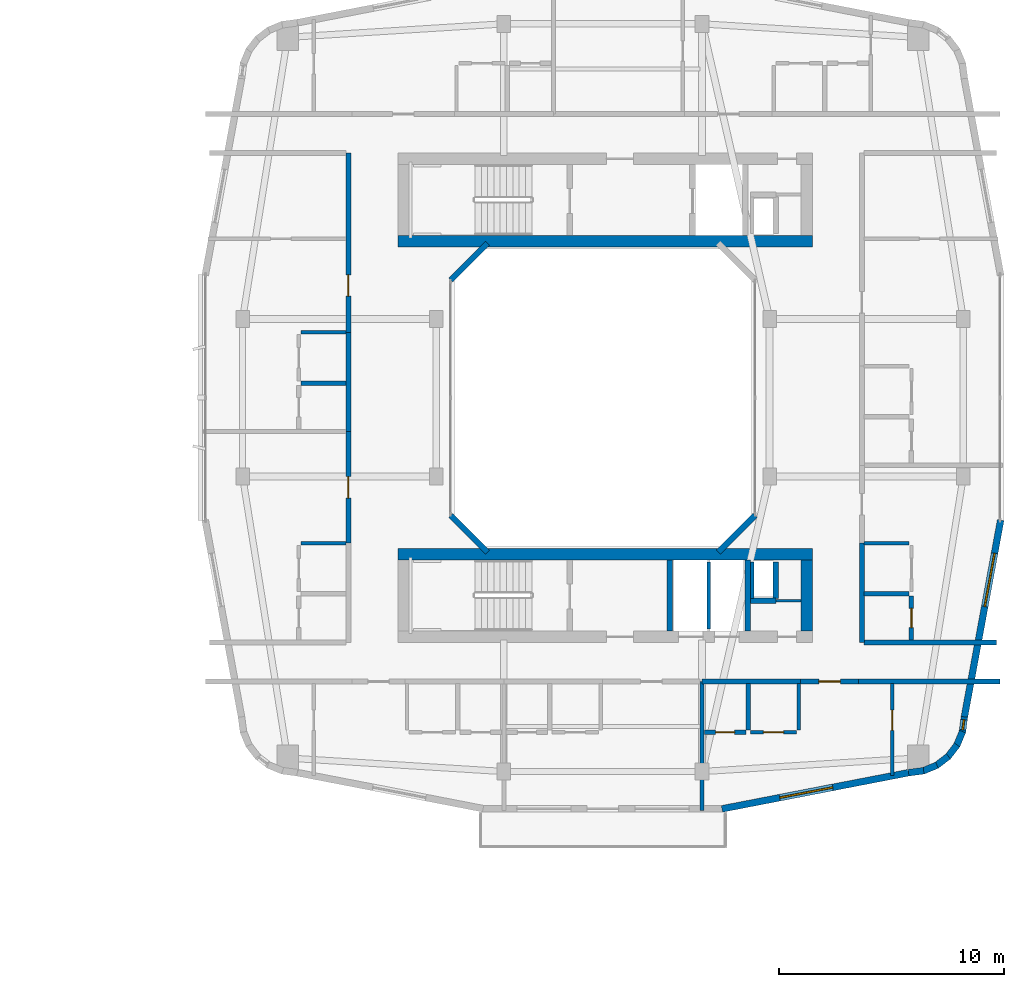
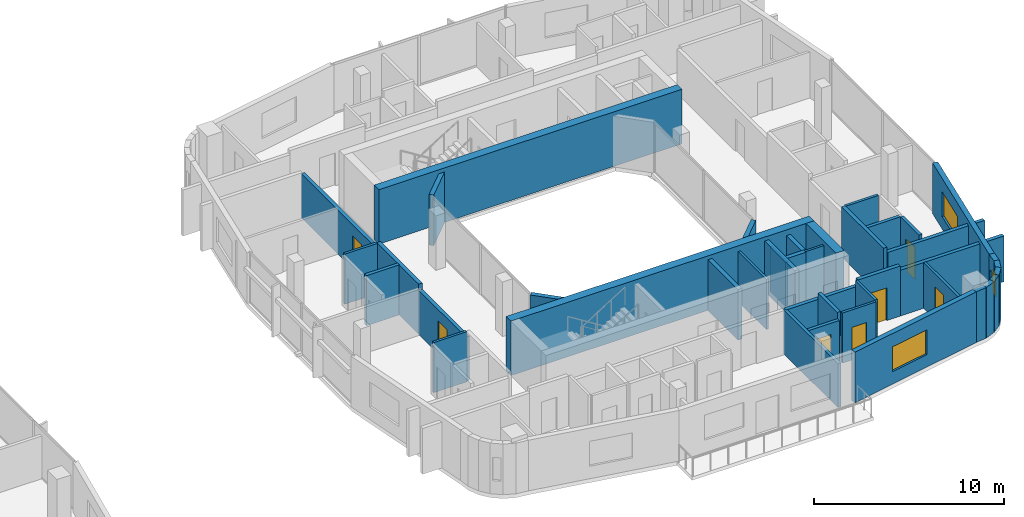
# One storey, part 15 of 24: 41 walls, 7 doors, 3 windows, 10 openings.
"""IFC4 building model written with IfcOpenShell, lengths in metres."""

from ifc_helpers import new_model, si_unit, derived_unit, direction, frame, frame_2d, origin, place, context, subcontext, project, spatial, rectangle, extrude, material, layer, layer_set, type_object, element, fill, save


model = new_model("IFC4")

# Units and contexts
model_context = context("Model", 3, precision=1e-05, world=origin(), true_north=direction((0.0, 1.0)))
body_context = subcontext(model_context, "Body", "Model", "MODEL_VIEW")
ifc_project = project(units=[si_unit("LENGTHUNIT", "METRE"), si_unit("AREAUNIT", "SQUARE_METRE"), si_unit("VOLUMEUNIT", "CUBIC_METRE"), si_unit("PLANEANGLEUNIT", "RADIAN"), si_unit("MASSUNIT", "GRAM", prefix="KILO"), derived_unit("THERMALTRANSMITTANCEUNIT", [(si_unit("POWERUNIT", "WATT"), 1), (si_unit("LENGTHUNIT", "METRE"), -2), (si_unit("THERMODYNAMICTEMPERATUREUNIT", "KELVIN"), -1)])], contexts=[model_context])

# Site, building, storey
site_placement = place(None, origin())
site = spatial("IfcSite", under=ifc_project, at=site_placement, CompositionType="ELEMENT")
building_placement = place(site_placement, origin())
building = spatial("IfcBuilding", under=site, at=building_placement, Name="Kivonza Crest Hotel", CompositionType="ELEMENT")
storey_placement = place(building_placement, frame((0.0, 0.0, 80.0)))
storey = spatial("IfcBuildingStorey", under=building, at=storey_placement, Name="L21", CompositionType="ELEMENT", Elevation=80.0)

# Walls
ifc_material_1 = material(Name="High-density acoustic masonry inter-tenancy wall", Category="masonry")
ifc_layer_1 = layer(ifc_material_1, 0.179931640625)
ifc_layer_set_1 = layer_set([ifc_layer_1], Name="High-density acoustic masonry inter-tenancy wall")
wall_type_1 = type_object("IfcWallType", Name="WL-ACOU-180", PredefinedType="SOLIDWALL", material=ifc_layer_set_1)
wall_1_placement = place(storey_placement, frame((81.39990234375, 6.659912109375, 0.0), z_axis=(0.0, 0.0, 1.0), x_axis=(0.0, 1.0, 0.0)))
element("IfcWall", 1, at=wall_1_placement, inside=storey, type_object=wall_type_1, Name="L21 interior partition WA-L21-T2S-DIV2", PredefinedType="SOLIDWALL", context=body_context, shape_type="SweptSolid", body=[
    extrude(rectangle(XDim=5.739990234375, YDim=0.179931640625, at=frame_2d((2.8701171875, 0.0))), origin(), (0.0, 0.0, 1.0), 2.824951171875),
])
ifc_material_2 = material(Name="Autoclaved aerated concrete blockwork", Category="masonry")
ifc_layer_2 = layer(ifc_material_2, 0.219970703125)
ifc_layer_set_2 = layer_set([ifc_layer_2], Name="Autoclaved aerated concrete blockwork")
wall_type_2 = type_object("IfcWallType", Name="WL-ACOU-220", PredefinedType="SOLIDWALL", material=ifc_layer_set_2)
wall_2_placement = place(storey_placement, frame((81.39990234375, 12.39990234375, 0.0), z_axis=(0.0, 0.0, 1.0), x_axis=(1.0, 0.0, 0.0)))
element("IfcWall", 2, at=wall_2_placement, inside=storey, type_object=wall_type_2, Name="L21 interior partition WA-L21-A05-LCORR", PredefinedType="SOLIDWALL", context=body_context, shape_type="SweptSolid", body=[
    extrude(rectangle(XDim=4.380126953125, YDim=0.219970703125, at=frame_2d((2.18994140625, 0.0))), origin(), (0.0, 0.0, 1.0), 2.824951171875),
])
wall_3_placement = place(storey_placement, frame((88.35009765625, 12.39990234375, 0.0), z_axis=(0.0, 0.0, 1.0), x_axis=(1.0, 0.0, 0.0)))
element("IfcWall", 3, at=wall_3_placement, inside=storey, type_object=wall_type_2, Name="L21 interior partition WA-L21-A05-RCORR", PredefinedType="SOLIDWALL", context=body_context, shape_type="SweptSolid", body=[
    extrude(rectangle(XDim=6.289794921875, YDim=0.219970703125, at=frame_2d((3.14501953125, 0.0))), origin(), (0.0, 0.0, 1.0), 2.945068359375),
])

# Wall, opening, door
wall_4_placement = place(storey_placement, frame((85.780029296875, 12.39990234375, 0.0), z_axis=(0.0, 0.0, 1.0), x_axis=(1.0, 0.0, 0.0)))
wall_4 = element("IfcWall", 4, at=wall_4_placement, inside=storey, type_object=wall_type_2, Name="L21 interior partition WA-L21-A05-MCORR", PredefinedType="SOLIDWALL", context=body_context, shape_type="SweptSolid", body=[
    extrude(rectangle(XDim=2.570068359375, YDim=0.219970703125, at=frame_2d((1.28515625, 0.0))), origin(), (0.0, 0.0, 1.0), 3.219970703125),
])
opening_1_placement = place(wall_4_placement, frame((0.81005859375, 0.0, 0.0)))
opening_1 = element("IfcOpeningElement", 5, at=opening_1_placement, cuts=wall_4, Name="Opening DU-60", PredefinedType="OPENING", context=body_context, shape_type="SweptSolid", body=[
    extrude(rectangle(XDim=0.949951171875, YDim=2.10009765625, at=frame_2d((0.47509765625, 1.050048828125))), frame((0.0, 0.1201171875, 0.0), z_axis=(0.0, -1.0, 0.0), x_axis=(1.0, 0.0, 0.0)), (0.0, 0.0, 1.0), 0.239990234375),
])
ifc_material_3 = material(Name="Hardwood timber oak", Category="wood")
door_type_1 = type_object("IfcDoorType", Name="DR-UNIT-950", OperationType="NOTDEFINED", PredefinedType="DOOR", material=ifc_material_3)
door_1_placement = place(opening_1_placement, frame((0.949951171875, 0.0, 0.0), z_axis=(0.0, 0.0, 1.0), x_axis=(-1.0, 0.0, 0.0)))
door_1 = element("IfcDoor", 6, at=door_1_placement, inside=storey, type_object=door_type_1, Name="L21 A05 apartment entrance fire door", OperationType="SINGLE_SWING_LEFT", OverallHeight=2.10009765625, OverallWidth=0.949951171875, PredefinedType="DOOR", context=body_context, shape_type="SweptSolid", body=[
    extrude(rectangle(XDim=0.949951171875, YDim=2.10009765625, at=frame_2d((0.47509765625, 1.050048828125))), frame((0.0, 0.02490234375, 0.0), z_axis=(0.0, -1.0, 0.0), x_axis=(1.0, 0.0, 0.0)), (0.0, 0.0, 1.0), 0.050048828125),
])
fill(opening_1, door_1)

wall_5_placement = place(storey_placement, frame((65.699951171875, 18.5400390625, 0.0), z_axis=(0.0, 0.0, 1.0), x_axis=(0.0, 1.0, 0.0)))
wall_5 = element("IfcWall", 7, at=wall_5_placement, inside=storey, type_object=wall_type_2, Name="L21 interior partition WA-L21-A06-MCORR", PredefinedType="SOLIDWALL", context=body_context, shape_type="SweptSolid", body=[
    extrude(rectangle(XDim=4.9599609375, YDim=0.219970703125, at=frame_2d((2.47998046875, 0.0))), origin(), (0.0, 0.0, 1.0), 2.824951171875),
])
opening_2_placement = place(wall_5_placement, frame((2.0048828125, 0.0, 0.0)))
opening_2 = element("IfcOpeningElement", 8, at=opening_2_placement, cuts=wall_5, Name="Opening DU-60", PredefinedType="OPENING", context=body_context, shape_type="SweptSolid", body=[
    extrude(rectangle(XDim=0.949951171875, YDim=2.10009765625, at=frame_2d((0.47509765625, 1.050048828125))), frame((0.0, 0.1201171875, 0.0), z_axis=(0.0, -1.0, 0.0), x_axis=(1.0, 0.0, 0.0)), (0.0, 0.0, 1.0), 0.239990234375),
])
door_2_placement = place(opening_2_placement, origin())
door_2 = element("IfcDoor", 9, at=door_2_placement, inside=storey, type_object=door_type_1, Name="L21 A06 apartment entrance fire door", OperationType="SINGLE_SWING_RIGHT", OverallHeight=2.10009765625, OverallWidth=0.949951171875, PredefinedType="DOOR", context=body_context, shape_type="SweptSolid", body=[
    extrude(rectangle(XDim=0.949951171875, YDim=2.10009765625, at=frame_2d((0.47509765625, 1.050048828125))), frame((0.0, 0.02490234375, 0.0), z_axis=(0.0, -1.0, 0.0), x_axis=(1.0, 0.0, 0.0)), (0.0, 0.0, 1.0), 0.050048828125),
])
fill(opening_2, door_2)

# Wall
wall_6_placement = place(storey_placement, frame((65.699951171875, 23.5, 0.0), z_axis=(0.0, 0.0, 1.0), x_axis=(0.0, 1.0, 0.0)))
element("IfcWall", 10, at=wall_6_placement, inside=storey, type_object=wall_type_2, Name="L21 interior partition WA-L21-A07-BCORR", PredefinedType="SOLIDWALL", context=body_context, shape_type="SweptSolid", body=[
    extrude(rectangle(XDim=4.39990234375, YDim=0.219970703125, at=frame_2d((2.199951171875, 0.0))), origin(), (0.0, 0.0, 1.0), 3.219970703125),
])

# Wall, opening, door
wall_7_placement = place(storey_placement, frame((65.699951171875, 27.89990234375, 0.0), z_axis=(0.0, 0.0, 1.0), x_axis=(0.0, 1.0, 0.0)))
wall_7 = element("IfcWall", 11, at=wall_7_placement, inside=storey, type_object=wall_type_2, Name="L21 interior partition WA-L21-A07-MCORR", PredefinedType="SOLIDWALL", context=body_context, shape_type="SweptSolid", body=[
    extrude(rectangle(XDim=7.960205078125, YDim=0.219970703125, at=frame_2d((3.97998046875, 0.0))), origin(), (0.0, 0.0, 1.0), 2.824951171875),
])
opening_3_placement = place(wall_7_placement, frame((1.60498046875, 0.0, 0.0)))
opening_3 = element("IfcOpeningElement", 12, at=opening_3_placement, cuts=wall_7, Name="Opening DU-60", PredefinedType="OPENING", context=body_context, shape_type="SweptSolid", body=[
    extrude(rectangle(XDim=0.949951171875, YDim=2.10009765625, at=frame_2d((0.47509765625, 1.050048828125))), frame((0.0, 0.1201171875, 0.0), z_axis=(0.0, -1.0, 0.0), x_axis=(1.0, 0.0, 0.0)), (0.0, 0.0, 1.0), 0.239990234375),
])
door_3_placement = place(opening_3_placement, origin())
door_3 = element("IfcDoor", 13, at=door_3_placement, inside=storey, type_object=door_type_1, Name="L21 A07 apartment entrance fire door", OperationType="SINGLE_SWING_LEFT", OverallHeight=2.10009765625, OverallWidth=0.949951171875, PredefinedType="DOOR", context=body_context, shape_type="SweptSolid", body=[
    extrude(rectangle(XDim=0.949951171875, YDim=2.10009765625, at=frame_2d((0.47509765625, 1.050048828125))), frame((0.0, 0.02490234375, 0.0), z_axis=(0.0, -1.0, 0.0), x_axis=(1.0, 0.0, 0.0)), (0.0, 0.0, 1.0), 0.050048828125),
])
fill(opening_3, door_3)

# Walls
wall_8_placement = place(storey_placement, frame((88.60009765625, 14.139892578125, 0.0), z_axis=(0.0, 0.0, 1.0), x_axis=(1.0, 0.0, 0.0)))
element("IfcWall", 14, at=wall_8_placement, inside=storey, type_object=wall_type_2, Name="L21 interior partition WA-L21-T2E-ENDS", PredefinedType="SOLIDWALL", context=body_context, shape_type="SweptSolid", body=[
    extrude(rectangle(XDim=5.8798828125, YDim=0.219970703125, at=frame_2d((2.93994140625, 0.0))), origin(), (0.0, 0.0, 1.0), 2.945068359375),
])
wall_9_placement = place(storey_placement, frame((88.5, 14.139892578125, 0.0), z_axis=(0.0, 0.0, 1.0), x_axis=(0.0, 1.0, 0.0)))
element("IfcWall", 15, at=wall_9_placement, inside=storey, type_object=wall_type_2, Name="L21 interior partition WA-L21-A08-BCORR", PredefinedType="SOLIDWALL", context=body_context, shape_type="SweptSolid", body=[
    extrude(rectangle(XDim=4.400146484375, YDim=0.219970703125, at=frame_2d((2.2001953125, 0.0))), origin(), (0.0, 0.0, 1.0), 3.219970703125),
])
ifc_material_4 = material(Name="Concrete C60/75", Category="concrete")
ifc_layer_3 = layer(ifc_material_4, 0.5)
ifc_layer_set_3 = layer_set([ifc_layer_3], Name="Concrete C60/75")
wall_type_3 = type_object("IfcWallType", Name="WL-CORE-500", PredefinedType="SHEAR", material=ifc_layer_set_3)
for number, where, z_axis, x_axis, name in (
    (16, (67.89990234375, 31.949951171875, 0.0), (0.0, 0.0, 1.0), (1.0, 0.0, 0.0), "Core wall T2-N South L21"),
    (17, (67.89990234375, 18.050048828125, 0.0), (0.0, 0.0, 1.0), (1.0, 0.0, 0.0), "Core wall T2-S North L21"),
):
    element("IfcWall", number, at=place(storey_placement, frame(where, z_axis=z_axis, x_axis=x_axis)), inside=storey, type_object=wall_type_3, Name=name, PredefinedType="SHEAR", context=body_context, shape_type="SweptSolid", body=[
        extrude(rectangle(XDim=18.400146484375, YDim=0.5, at=frame_2d((9.2001953125, 0.0))), origin(), (0.0, 0.0, 1.0), 3.5),
    ])
wall_10_placement = place(storey_placement, frame((86.050048828125, 14.639892578125, 0.0), z_axis=(0.0, 0.0, 1.0), x_axis=(0.0, 1.0, 0.0)))
element("IfcWall", 18, at=wall_10_placement, inside=storey, type_object=wall_type_3, Name="Core wall T2-S East L21", PredefinedType="SHEAR", context=body_context, shape_type="SweptSolid", body=[
    extrude(rectangle(XDim=3.16015625, YDim=0.5, at=frame_2d((1.580078125, 0.0))), origin(), (0.0, 0.0, 1.0), 3.5),
])
ifc_material_5 = material(Name="Precast concrete C40/50", Category="concrete")
ifc_layer_4 = layer(ifc_material_5, 0.260009765625)
ifc_layer_set_4 = layer_set([ifc_layer_4], Name="Precast concrete C40/50")
wall_type_4 = type_object("IfcWallType", Name="WL-EXT-260", PredefinedType="STANDARD", material=ifc_layer_set_4)
for number, where, z_axis, x_axis, name in (
    (19, (82.1220703125, 18.137939453125, 0.0), (0.0, 0.0, 1.0), (0.707106781187, 0.707106781187, 0.0), "L21 T2 light-well exterior wall 2"),
    (20, (71.8779296875, 31.862060546875, 0.0), (0.0, 0.0, 1.0), (-0.707106781187, -0.707106781187, 0.0), "L21 T2 light-well exterior wall 6"),
    (21, (70.243896484375, 19.77197265625, 0.0), (0.0, 0.0, 1.0), (0.707106781187, -0.707106781187, 0.0), "L21 T2 light-well exterior wall 8"),
):
    element("IfcWall", number, at=place(storey_placement, frame(where, z_axis=z_axis, x_axis=x_axis)), inside=storey, type_object=wall_type_4, Name=name, PredefinedType="STANDARD", context=body_context, shape_type="SweptSolid", body=[
        extrude(rectangle(XDim=2.310791015625, YDim=0.260009765625, at=frame_2d((1.1552734375, 0.0))), origin(), (0.0, 0.0, 1.0), 3.25),
    ])

# Wall, opening, window
ifc_layer_5 = layer(ifc_material_5, 0.300048828125)
ifc_layer_set_5 = layer_set([ifc_layer_5], Name="Precast concrete C40/50")
wall_type_5 = type_object("IfcWallType", Name="WL-EXT-300", PredefinedType="STANDARD", material=ifc_layer_set_5)
wall_11_placement = place(storey_placement, frame((82.285888671875, 6.741943359375, 0.0), z_axis=(0.0, 0.0, 1.0), x_axis=(0.981734775858, 0.190254644808, 0.0)))
wall_11 = element("IfcWall", 22, at=wall_11_placement, inside=storey, type_object=wall_type_5, Name="L21 T2 exterior insulated wall 9", PredefinedType="STANDARD", context=body_context, shape_type="SweptSolid", body=[
    extrude(rectangle(XDim=8.447509765625, YDim=0.300048828125, at=frame_2d((4.2236328125, 0.0))), origin(), (0.0, 0.0, 1.0), 3.25),
])
opening_4_placement = place(wall_11_placement, frame((2.60888671875, 0.0, 0.800048828125)))
opening_4 = element("IfcOpeningElement", 23, at=opening_4_placement, cuts=wall_11, Name="Opening WN-05", PredefinedType="OPENING", context=body_context, shape_type="SweptSolid", body=[
    extrude(rectangle(XDim=2.39990234375, YDim=1.60009765625, at=frame_2d((1.199951171875, 0.800048828125))), frame((0.0, 0.16015625, 0.0), z_axis=(0.0, -1.0, 0.0), x_axis=(1.0, 0.0, 0.0)), (0.0, 0.0, 1.0), 0.320068359375),
])
ifc_material_6 = material(Name="Thermally broken bronze aluminium and low-E double glazing", Category="aluminium")
window_type_1 = type_object("IfcWindowType", Name="WN-240x160", PartitioningType="TRIPLE_PANEL_VERTICAL", PredefinedType="WINDOW", material=ifc_material_6)
window_1_placement = place(opening_4_placement, origin())
window_1 = element("IfcWindow", 24, at=window_1_placement, inside=storey, type_object=window_type_1, Name="L21 T2 facade window 9", OverallHeight=1.60009765625, OverallWidth=2.39990234375, PartitioningType="SINGLE_PANEL", PredefinedType="WINDOW", context=body_context, shape_type="SweptSolid", body=[
    extrude(rectangle(XDim=2.39990234375, YDim=1.60009765625, at=frame_2d((1.199951171875, 0.800048828125))), frame((0.0, 0.030029296875, 0.0), z_axis=(0.0, -1.0, 0.0), x_axis=(1.0, 0.0, 0.0)), (0.0, 0.0, 1.0), 0.06005859375),
])
fill(opening_4, window_1)

# Walls
wall_12_placement = place(storey_placement, frame((90.572021484375, 8.347900390625, 0.0), z_axis=(0.0, 0.0, 1.0), x_axis=(0.991293937098, 0.131667498923, 0.0)))
element("IfcWall", 25, at=wall_12_placement, inside=storey, type_object=wall_type_5, Name="L21 T2 exterior insulated wall 10", PredefinedType="STANDARD", context=body_context, shape_type="SweptSolid", body=[
    extrude(rectangle(XDim=0.6767578125, YDim=0.300048828125, at=frame_2d((0.33837890625, 0.0))), origin(), (0.0, 0.0, 1.0), 3.25),
])
wall_13_placement = place(storey_placement, frame((91.193115234375, 8.41796875, 0.0), z_axis=(0.0, 0.0, 1.0), x_axis=(0.924042561464, 0.382289608286, 0.0)))
element("IfcWall", 26, at=wall_13_placement, inside=storey, type_object=wall_type_5, Name="L21 T2 exterior insulated wall 11", PredefinedType="STANDARD", context=body_context, shape_type="SweptSolid", body=[
    extrude(rectangle(XDim=0.693603515625, YDim=0.300048828125, at=frame_2d((0.3466796875, 0.0))), origin(), (0.0, 0.0, 1.0), 3.25),
])
for number, where, z_axis, x_axis, name in (
    (27, (91.7890625, 8.652099609375, 0.0), (0.0, 0.0, 1.0), (0.792807092876, 0.609472651958, 0.0), "L21 T2 exterior insulated wall 12"),
    (28, (92.303955078125, 9.032958984375, 0.0), (0.0, 0.0, 1.0), (0.609693758543, 0.792637067512, 0.0), "L21 T2 exterior insulated wall 13"),
    (29, (92.702880859375, 9.533935546875, 0.0), (0.0, 0.0, 1.0), (0.382165294877, 0.924093981904, 0.0), "L21 T2 exterior insulated wall 14"),
):
    element("IfcWall", number, at=place(storey_placement, frame(where, z_axis=z_axis, x_axis=x_axis)), inside=storey, type_object=wall_type_5, Name=name, PredefinedType="STANDARD", context=body_context, shape_type="SweptSolid", body=[
        extrude(rectangle(XDim=0.69384765625, YDim=0.300048828125, at=frame_2d((0.346923828125, 0.0))), origin(), (0.0, 0.0, 1.0), 3.25),
    ])

# Wall, opening, window
wall_14_placement = place(storey_placement, frame((92.958984375, 10.1220703125, 0.0), z_axis=(0.0, 0.0, 1.0), x_axis=(0.130658543777, 0.991427427974, 0.0)))
wall_14 = element("IfcWall", 30, at=wall_14_placement, inside=storey, type_object=wall_type_5, Name="L21 T2 exterior insulated wall 15", PredefinedType="STANDARD", context=body_context, shape_type="SweptSolid", body=[
    extrude(rectangle(XDim=0.7119140625, YDim=0.300048828125, at=frame_2d((0.35595703125, 0.0))), origin(), (0.0, 0.0, 1.0), 3.25),
])
opening_5_placement = place(wall_14_placement, frame((0.131103515625, 0.0, 0.85009765625)))
opening_5 = element("IfcOpeningElement", 31, at=opening_5_placement, cuts=wall_14, Name="Opening WN-11", PredefinedType="OPENING", context=body_context, shape_type="SweptSolid", body=[
    extrude(rectangle(XDim=0.449951171875, YDim=1.5, at=frame_2d((0.22509765625, 0.75))), frame((0.0, 0.16015625, 0.0), z_axis=(0.0, -1.0, 0.0), x_axis=(1.0, 0.0, 0.0)), (0.0, 0.0, 1.0), 0.320068359375),
])
window_type_2 = type_object("IfcWindowType", Name="WN-045x150", PartitioningType="SINGLE_PANEL", PredefinedType="WINDOW", material=ifc_material_6)
window_2_placement = place(opening_5_placement, origin())
window_2 = element("IfcWindow", 32, at=window_2_placement, inside=storey, type_object=window_type_2, Name="L21 corner vision window 4", OverallHeight=1.5, OverallWidth=0.449951171875, PartitioningType="SINGLE_PANEL", PredefinedType="WINDOW", context=body_context, shape_type="SweptSolid", body=[
    extrude(rectangle(XDim=0.449951171875, YDim=1.5, at=frame_2d((0.22509765625, 0.75))), frame((0.0, 0.030029296875, 0.0), z_axis=(0.0, -1.0, 0.0), x_axis=(1.0, 0.0, 0.0)), (0.0, 0.0, 1.0), 0.06005859375),
])
fill(opening_5, window_2)

wall_15_placement = place(storey_placement, frame((93.051025390625, 10.819091796875, 0.0), z_axis=(0.0, 0.0, 1.0), x_axis=(0.181241420611, 0.983438634311, 0.0)))
wall_15 = element("IfcWall", 33, at=wall_15_placement, inside=storey, type_object=wall_type_5, Name="L21 T2 exterior insulated wall 16", PredefinedType="STANDARD", context=body_context, shape_type="SweptSolid", body=[
    extrude(rectangle(XDim=8.88916015625, YDim=0.300048828125, at=frame_2d((4.444580078125, 0.0))), origin(), (0.0, 0.0, 1.0), 3.25),
])
opening_6_placement = place(wall_15_placement, frame((4.992919921875, 0.0, 0.800048828125)))
opening_6 = element("IfcOpeningElement", 34, at=opening_6_placement, cuts=wall_15, Name="Opening WN-05", PredefinedType="OPENING", context=body_context, shape_type="SweptSolid", body=[
    extrude(rectangle(XDim=2.39990234375, YDim=1.60009765625, at=frame_2d((1.199951171875, 0.800048828125))), frame((0.0, 0.16015625, 0.0), z_axis=(0.0, -1.0, 0.0), x_axis=(1.0, 0.0, 0.0)), (0.0, 0.0, 1.0), 0.320068359375),
])
window_3_placement = place(opening_6_placement, origin())
window_3 = element("IfcWindow", 35, at=window_3_placement, inside=storey, type_object=window_type_1, Name="L21 T2 facade window 16", OverallHeight=1.60009765625, OverallWidth=2.39990234375, PartitioningType="SINGLE_PANEL", PredefinedType="WINDOW", context=body_context, shape_type="SweptSolid", body=[
    extrude(rectangle(XDim=2.39990234375, YDim=1.60009765625, at=frame_2d((1.199951171875, 0.800048828125))), frame((0.0, 0.030029296875, 0.0), z_axis=(0.0, -1.0, 0.0), x_axis=(1.0, 0.0, 0.0)), (0.0, 0.0, 1.0), 0.06005859375),
])
fill(opening_6, window_3)

# Walls
ifc_material_7 = material(Name="Concrete blockwork fire-compartment wall", Category="masonry")
ifc_layer_6 = layer(ifc_material_7, 0.25)
ifc_layer_set_6 = layer_set([ifc_layer_6], Name="Concrete blockwork fire-compartment wall")
wall_type_6 = type_object("IfcWallType", Name="WL-FIRE-250", PredefinedType="SOLIDWALL", material=ifc_layer_set_6)
wall_16_placement = place(storey_placement, frame((84.679931640625, 16.080078125, 0.0), z_axis=(0.0, 0.0, 1.0), x_axis=(0.0, 1.0, 0.0)))
element("IfcWall", 36, at=wall_16_placement, inside=storey, type_object=wall_type_6, Name="L21 interior partition WA-L21-T2-S-MEPR-E", PredefinedType="SOLIDWALL", context=body_context, shape_type="SweptSolid", body=[
    extrude(rectangle(XDim=1.619873046875, YDim=0.25, at=frame_2d((0.81005859375, 0.0))), origin(), (0.0, 0.0, 1.0), 3.219970703125),
])
wall_17_placement = place(storey_placement, frame((83.550048828125, 15.97998046875, 0.0), z_axis=(0.0, 0.0, 1.0), x_axis=(1.0, 0.0, 0.0)))
element("IfcWall", 37, at=wall_17_placement, inside=storey, type_object=wall_type_6, Name="L21 interior partition WA-L21-T2-S-MEPR-H", PredefinedType="SOLIDWALL", context=body_context, shape_type="SweptSolid", body=[
    extrude(rectangle(XDim=1.1298828125, YDim=0.25, at=frame_2d((0.56494140625, 0.0))), origin(), (0.0, 0.0, 1.0), 3.219970703125),
])
ifc_material_8 = material(Name="Metal-stud gypsum board partition", Category="gypsum")
ifc_layer_7 = layer(ifc_material_8, 0.125)
ifc_layer_set_7 = layer_set([ifc_layer_7], Name="Metal-stud gypsum board partition")
wall_type_7 = type_object("IfcWallType", Name="WL-PART-125", PredefinedType="PARTITIONING", material=ifc_layer_set_7)
wall_18_placement = place(storey_placement, frame((84.679931640625, 15.97998046875, 0.0), z_axis=(0.0, 0.0, 1.0), x_axis=(1.0, 0.0, 0.0)))
element("IfcWall", 38, at=wall_18_placement, inside=storey, type_object=wall_type_7, Name="L21 interior partition WP-L21-T2-S-T2H", PredefinedType="PARTITIONING", context=body_context, shape_type="SweptSolid", body=[
    extrude(rectangle(XDim=1.1201171875, YDim=0.125, at=frame_2d((0.56005859375, 0.0))), origin(), (0.0, 0.0, 1.0), 3.219970703125),
])
ifc_material_9 = material(Name="Twin-stud acoustic gypsum board partition", Category="gypsum")
ifc_layer_8 = layer(ifc_material_9, 0.14990234375)
ifc_layer_set_8 = layer_set([ifc_layer_8], Name="Twin-stud acoustic gypsum board partition")
wall_type_8 = type_object("IfcWallType", Name="WL-PART-150", PredefinedType="PARTITIONING", material=ifc_layer_set_8)
wall_19_placement = place(storey_placement, frame((83.6298828125, 16.080078125, 0.0), z_axis=(0.0, 0.0, 1.0), x_axis=(0.0, 1.0, 0.0)))
element("IfcWall", 39, at=wall_19_placement, inside=storey, type_object=wall_type_8, Name="L21 interior partition WA-L21-T2-S-MEPR-W", PredefinedType="PARTITIONING", context=body_context, shape_type="SweptSolid", body=[
    extrude(rectangle(XDim=1.619873046875, YDim=0.14990234375, at=frame_2d((0.81005859375, 0.0))), origin(), (0.0, 0.0, 1.0), 2.824951171875),
])
wall_20_placement = place(storey_placement, frame((81.699951171875, 14.739990234375, 0.0), z_axis=(0.0, 0.0, 1.0), x_axis=(0.0, 1.0, 0.0)))
element("IfcWall", 40, at=wall_20_placement, inside=storey, type_object=wall_type_8, Name="L21 interior partition WP-L21-T2-S-BSH-1", PredefinedType="PARTITIONING", context=body_context, shape_type="SweptSolid", body=[
    extrude(rectangle(XDim=2.9599609375, YDim=0.14990234375, at=frame_2d((1.47998046875, 0.0))), origin(), (0.0, 0.0, 1.0), 3.219970703125),
])

# Wall, opening, door
wall_21_placement = place(storey_placement, frame((89.840087890625, 8.214111328125, 0.0), z_axis=(0.0, 0.0, 1.0), x_axis=(0.0, 1.0, 0.0)))
wall_21 = element("IfcWall", 41, at=wall_21_placement, inside=storey, type_object=wall_type_8, Name="L21 interior partition WP-L21-A05-BDW1", PredefinedType="PARTITIONING", context=body_context, shape_type="SweptSolid", body=[
    extrude(rectangle(XDim=4.0859375, YDim=0.14990234375, at=frame_2d((2.04296875, 0.0))), origin(), (0.0, 0.0, 1.0), 2.945068359375),
])
opening_7_placement = place(wall_21_placement, frame((2.010009765625, 0.0, 0.0)))
opening_7 = element("IfcOpeningElement", 42, at=opening_7_placement, cuts=wall_21, Name="Opening DI-90", PredefinedType="OPENING", context=body_context, shape_type="SweptSolid", body=[
    extrude(rectangle(XDim=0.89990234375, YDim=2.10009765625, at=frame_2d((0.449951171875, 1.050048828125))), frame((0.0, 0.0849609375, 0.0), z_axis=(0.0, -1.0, 0.0), x_axis=(1.0, 0.0, 0.0)), (0.0, 0.0, 1.0), 0.169921875),
])
door_type_2 = type_object("IfcDoorType", Name="DR-INT-900", OperationType="NOTDEFINED", PredefinedType="DOOR", material=ifc_material_3)
door_4_placement = place(opening_7_placement, origin())
door_4 = element("IfcDoor", 43, at=door_4_placement, inside=storey, type_object=door_type_2, Name="L21 A05 bedroom 1 door", OperationType="SINGLE_SWING_RIGHT", OverallHeight=2.10009765625, OverallWidth=0.89990234375, PredefinedType="DOOR", context=body_context, shape_type="SweptSolid", body=[
    extrude(rectangle(XDim=0.89990234375, YDim=2.10009765625, at=frame_2d((0.449951171875, 1.050048828125))), frame((0.0, 0.02490234375, 0.0), z_axis=(0.0, -1.0, 0.0), x_axis=(1.0, 0.0, 0.0)), (0.0, 0.0, 1.0), 0.050048828125),
])
fill(opening_7, door_4)

# Wall
wall_22_placement = place(storey_placement, frame((85.699951171875, 10.25, 0.0), z_axis=(0.0, 0.0, 1.0), x_axis=(0.0, 1.0, 0.0)))
element("IfcWall", 44, at=wall_22_placement, inside=storey, type_object=wall_type_8, Name="L21 interior partition WP-L21-A05-KF", PredefinedType="PARTITIONING", context=body_context, shape_type="SweptSolid", body=[
    extrude(rectangle(XDim=2.050048828125, YDim=0.14990234375, at=frame_2d((1.02490234375, 0.0))), origin(), (0.0, 0.0, 1.0), 3.219970703125),
])

# Wall, opening, door
wall_23_placement = place(storey_placement, frame((83.550048828125, 10.14990234375, 0.0), z_axis=(0.0, 0.0, 1.0), x_axis=(1.0, 0.0, 0.0)))
wall_23 = element("IfcWall", 45, at=wall_23_placement, inside=storey, type_object=wall_type_8, Name="L21 interior partition WP-L21-A05-KSVC", PredefinedType="PARTITIONING", context=body_context, shape_type="SweptSolid", body=[
    extrude(rectangle(XDim=2.050048828125, YDim=0.14990234375, at=frame_2d((1.02490234375, 0.0))), origin(), (0.0, 0.0, 1.0), 3.219970703125),
])
opening_8_placement = place(wall_23_placement, frame((0.574951171875, 0.0, 0.0)))
opening_8 = element("IfcOpeningElement", 46, at=opening_8_placement, cuts=wall_23, Name="Opening DI-90", PredefinedType="OPENING", context=body_context, shape_type="SweptSolid", body=[
    extrude(rectangle(XDim=0.89990234375, YDim=2.10009765625, at=frame_2d((0.449951171875, 1.050048828125))), frame((0.0, 0.0849609375, 0.0), z_axis=(0.0, -1.0, 0.0), x_axis=(1.0, 0.0, 0.0)), (0.0, 0.0, 1.0), 0.169921875),
])
door_5_placement = place(opening_8_placement, frame((0.89990234375, 0.0, 0.0), z_axis=(0.0, 0.0, 1.0), x_axis=(-1.0, 0.0, 0.0)))
door_5 = element("IfcDoor", 47, at=door_5_placement, inside=storey, type_object=door_type_2, Name="L21 A05 apartment kitchen door", OperationType="SINGLE_SWING_LEFT", OverallHeight=2.10009765625, OverallWidth=0.89990234375, PredefinedType="DOOR", context=body_context, shape_type="SweptSolid", body=[
    extrude(rectangle(XDim=0.89990234375, YDim=2.10009765625, at=frame_2d((0.449951171875, 1.050048828125))), frame((0.0, 0.02490234375, 0.0), z_axis=(0.0, -1.0, 0.0), x_axis=(1.0, 0.0, 0.0)), (0.0, 0.0, 1.0), 0.050048828125),
])
fill(opening_8, door_5)

# Walls
for number, where, z_axis, x_axis, name in (
    (48, (63.60009765625, 18.5400390625, 0.0), (0.0, 0.0, 1.0), (1.0, 0.0, 0.0), "L21 interior partition WP-L21-A06-KF"),
    (49, (63.60009765625, 27.89990234375, 0.0), (0.0, 0.0, 1.0), (1.0, 0.0, 0.0), "L21 interior partition WP-L21-A07-KF"),
    (50, (88.60009765625, 18.5400390625, 0.0), (0.0, 0.0, 1.0), (1.0, 0.0, 0.0), "L21 interior partition WP-L21-A08-KF"),
):
    element("IfcWall", number, at=place(storey_placement, frame(where, z_axis=z_axis, x_axis=x_axis)), inside=storey, type_object=wall_type_8, Name=name, PredefinedType="PARTITIONING", context=body_context, shape_type="SweptSolid", body=[
        extrude(rectangle(XDim=2.0, YDim=0.14990234375, at=frame_2d((1.0, 0.0))), origin(), (0.0, 0.0, 1.0), 3.219970703125),
    ])
ifc_material_10 = material(Name="Moisture-resistant plumbing chase partition wall", Category="gypsum")
ifc_layer_9 = layer(ifc_material_10, 0.199951171875)
ifc_layer_set_9 = layer_set([ifc_layer_9], Name="Moisture-resistant plumbing chase partition wall")
wall_type_9 = type_object("IfcWallType", Name="WL-PLUMB-200", PredefinedType="PLUMBINGWALL", material=ifc_layer_set_9)
wall_24_placement = place(storey_placement, frame((83.449951171875, 10.25, 0.0), z_axis=(0.0, 0.0, 1.0), x_axis=(0.0, 1.0, 0.0)))
element("IfcWall", 51, at=wall_24_placement, inside=storey, type_object=wall_type_9, Name="L21 interior partition WW-L21-A05-BK", PredefinedType="PLUMBINGWALL", context=body_context, shape_type="SweptSolid", body=[
    extrude(rectangle(XDim=2.050048828125, YDim=0.199951171875, at=frame_2d((1.02490234375, 0.0))), origin(), (0.0, 0.0, 1.0), 3.219970703125),
])

# Wall, opening, door
wall_25_placement = place(storey_placement, frame((81.5, 10.14990234375, 0.0), z_axis=(0.0, 0.0, 1.0), x_axis=(1.0, 0.0, 0.0)))
wall_25 = element("IfcWall", 52, at=wall_25_placement, inside=storey, type_object=wall_type_9, Name="L21 interior partition WW-L21-A05-BSVC", PredefinedType="PLUMBINGWALL", context=body_context, shape_type="SweptSolid", body=[
    extrude(rectangle(XDim=1.85009765625, YDim=0.199951171875, at=frame_2d((0.925048828125, 0.0))), origin(), (0.0, 0.0, 1.0), 2.824951171875),
])
opening_9_placement = place(wall_25_placement, frame((0.5, 0.0, 0.0)))
opening_9 = element("IfcOpeningElement", 53, at=opening_9_placement, cuts=wall_25, Name="Opening DI-85", PredefinedType="OPENING", context=body_context, shape_type="SweptSolid", body=[
    extrude(rectangle(XDim=0.85009765625, YDim=2.10009765625, at=frame_2d((0.425048828125, 1.050048828125))), frame((0.0, 0.10986328125, 0.0), z_axis=(0.0, -1.0, 0.0), x_axis=(1.0, 0.0, 0.0)), (0.0, 0.0, 1.0), 0.219970703125),
])
door_type_3 = type_object("IfcDoorType", Name="DR-INT-850", OperationType="NOTDEFINED", PredefinedType="DOOR", material=ifc_material_3)
door_6_placement = place(opening_9_placement, frame((0.85009765625, 0.0, 0.0), z_axis=(0.0, 0.0, 1.0), x_axis=(-1.0, 0.0, 0.0)))
door_6 = element("IfcDoor", 54, at=door_6_placement, inside=storey, type_object=door_type_3, Name="L21 A05 apartment bathroom door", OperationType="SINGLE_SWING_RIGHT", OverallHeight=2.10009765625, OverallWidth=0.85009765625, PredefinedType="DOOR", context=body_context, shape_type="SweptSolid", body=[
    extrude(rectangle(XDim=0.85009765625, YDim=2.10009765625, at=frame_2d((0.425048828125, 1.050048828125))), frame((0.0, 0.02490234375, 0.0), z_axis=(0.0, -1.0, 0.0), x_axis=(1.0, 0.0, 0.0)), (0.0, 0.0, 1.0), 0.050048828125),
])
fill(opening_9, door_6)

# Walls
for number, where, z_axis, x_axis, name in (
    (55, (63.60009765625, 25.64990234375, 0.0), (0.0, 0.0, 1.0), (1.0, 0.0, 0.0), "L21 interior partition WW-L21-A07-BK"),
    (56, (88.60009765625, 16.2900390625, 0.0), (0.0, 0.0, 1.0), (1.0, 0.0, 0.0), "L21 interior partition WW-L21-A08-BK"),
):
    element("IfcWall", number, at=place(storey_placement, frame(where, z_axis=z_axis, x_axis=x_axis)), inside=storey, type_object=wall_type_9, Name=name, PredefinedType="PLUMBINGWALL", context=body_context, shape_type="SweptSolid", body=[
        extrude(rectangle(XDim=2.0, YDim=0.199951171875, at=frame_2d((1.0, 0.0))), origin(), (0.0, 0.0, 1.0), 3.219970703125),
    ])

# Wall, opening, door
wall_26_placement = place(storey_placement, frame((90.699951171875, 14.239990234375, 0.0), z_axis=(0.0, 0.0, 1.0), x_axis=(0.0, 1.0, 0.0)))
wall_26 = element("IfcWall", 57, at=wall_26_placement, inside=storey, type_object=wall_type_9, Name="L21 interior partition WW-L21-A08-BSVC", PredefinedType="PLUMBINGWALL", context=body_context, shape_type="SweptSolid", body=[
    extrude(rectangle(XDim=1.949951171875, YDim=0.199951171875, at=frame_2d((0.97509765625, 0.0))), origin(), (0.0, 0.0, 1.0), 3.219970703125),
])
opening_10_placement = place(wall_26_placement, frame((0.550048828125, 0.0, 0.0)))
opening_10 = element("IfcOpeningElement", 58, at=opening_10_placement, cuts=wall_26, Name="Opening DI-85", PredefinedType="OPENING", context=body_context, shape_type="SweptSolid", body=[
    extrude(rectangle(XDim=0.85009765625, YDim=2.10009765625, at=frame_2d((0.425048828125, 1.050048828125))), frame((0.0, 0.10986328125, 0.0), z_axis=(0.0, -1.0, 0.0), x_axis=(1.0, 0.0, 0.0)), (0.0, 0.0, 1.0), 0.219970703125),
])
door_7_placement = place(opening_10_placement, frame((0.85009765625, 0.0, 0.0), z_axis=(0.0, 0.0, 1.0), x_axis=(-1.0, 0.0, 0.0)))
door_7 = element("IfcDoor", 59, at=door_7_placement, inside=storey, type_object=door_type_3, Name="L21 A08 apartment bathroom door", OperationType="SINGLE_SWING_LEFT", OverallHeight=2.10009765625, OverallWidth=0.85009765625, PredefinedType="DOOR", context=body_context, shape_type="SweptSolid", body=[
    extrude(rectangle(XDim=0.85009765625, YDim=2.10009765625, at=frame_2d((0.425048828125, 1.050048828125))), frame((0.0, 0.02490234375, 0.0), z_axis=(0.0, -1.0, 0.0), x_axis=(1.0, 0.0, 0.0)), (0.0, 0.0, 1.0), 0.050048828125),
])
fill(opening_10, door_7)

# Walls
ifc_material_11 = material(Name="Concrete C50/60", Category="concrete")
ifc_layer_10 = layer(ifc_material_11, 0.25)
ifc_layer_set_10 = layer_set([ifc_layer_10], Name="Concrete C50/60")
wall_type_10 = type_object("IfcWallType", Name="WL-SHAFT-250", PredefinedType="STANDARD", material=ifc_layer_set_10)
for number, where, z_axis, x_axis, name in (
    (60, (79.97509765625, 14.639892578125, 0.0), (0.0, 0.0, 1.0), (0.0, 1.0, 0.0), "Core shaft wall T2-S BANK-W L21"),
    (61, (83.425048828125, 14.639892578125, 0.0), (0.0, 0.0, 1.0), (0.0, 1.0, 0.0), "Core shaft wall T2-S BANK-E L21"),
):
    element("IfcWall", number, at=place(storey_placement, frame(where, z_axis=z_axis, x_axis=x_axis)), inside=storey, type_object=wall_type_10, Name=name, PredefinedType="STANDARD", context=body_context, shape_type="SweptSolid", body=[
        extrude(rectangle(XDim=3.16015625, YDim=0.25, at=frame_2d((1.580078125, 0.0))), origin(), (0.0, 0.0, 1.0), 3.25),
    ])

save(model, "model.ifc")
